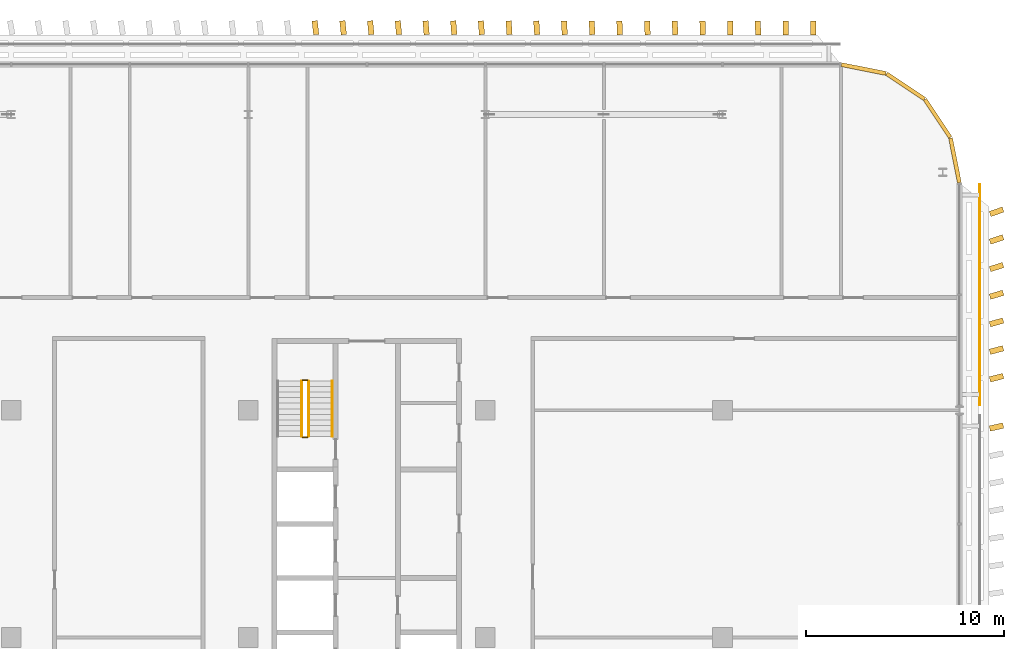
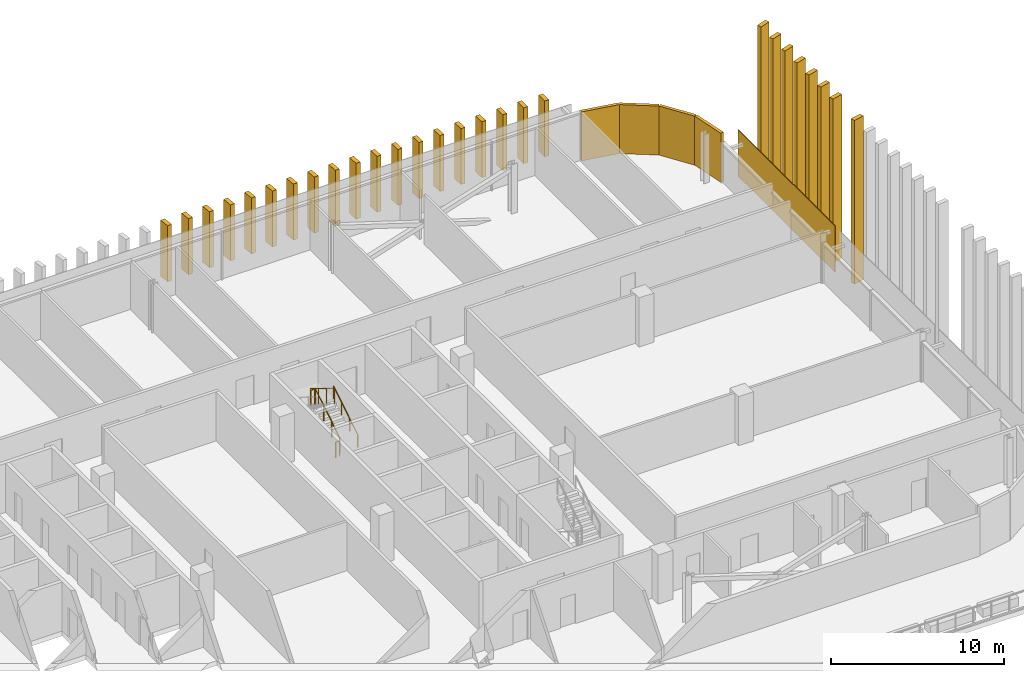
# One storey, part 30 of 30: 32 coverings, 5 railings.
"""IFC4 building model written with IfcOpenShell, lengths in metres."""

from ifc_helpers import new_model, si_unit, direction, frame, origin, origin_2d, place, context, subcontext, project, spatial, rectangle, circle, extrude, material, layer, layer_set, type_object, element, save


model = new_model("IFC4")

# Units and contexts
model_context = context("Model", 3, precision=1e-05, world=origin(), true_north=direction((0.0, 1.0)))
body_context = subcontext(model_context, "Body", "Model", "MODEL_VIEW")
ifc_project = project(units=[si_unit("LENGTHUNIT", "METRE"), si_unit("AREAUNIT", "SQUARE_METRE"), si_unit("VOLUMEUNIT", "CUBIC_METRE"), si_unit("PLANEANGLEUNIT", "RADIAN"), si_unit("MASSUNIT", "GRAM", prefix="KILO")], contexts=[model_context])

# Site, building, storey
site_placement = place(None, origin())
site = spatial("IfcSite", under=ifc_project, at=site_placement, CompositionType="ELEMENT")
building_placement = place(site_placement, origin())
building = spatial("IfcBuilding", under=site, at=building_placement, Name="Mahtab Terrace Research Tower", CompositionType="ELEMENT")
storey_placement = place(building_placement, frame((0.0, 0.0, 228.60009765625)))
storey = spatial("IfcBuildingStorey", under=building, at=storey_placement, Name="L55", CompositionType="ELEMENT", Elevation=228.60009765625)

# Coverings
ifc_material_1 = material(Name="Black aluminium cladding panel", Category="aluminium")
ifc_layer_1 = layer(ifc_material_1, 0.199951171875)
ifc_layer_set_1 = layer_set([ifc_layer_1], Name="Black metal corner cladding 200")
covering_type_1 = type_object("IfcCoveringType", Name="Black metal corner cladding 200", PredefinedType="CLADDING", material=ifc_layer_set_1)
for number, where, z_axis, x_axis, name in (
    (1, (52.89306640625, 26.26953125, 0.0), (0.0, 0.0, 1.0), (-0.555291490808, 0.831655794326, 0.0), "Corner cladding L55 0"),
    (2, (51.26953125, 27.89306640625, 0.0), (0.0, 0.0, 1.0), (-0.831655794326, 0.555291490808, 0.0), "Corner cladding L55 1"),
    (3, (49.14794921875, 28.771484375, 0.0), (0.0, 0.0, 1.0), (-0.980760981187, 0.195212442692, 0.0), "Corner cladding L55 2"),
    (4, (53.771484375, 24.14794921875, 0.0), (0.0, 0.0, 1.0), (-0.195212442692, 0.980760981187, 0.0), "Corner cladding L55 23"),
):
    element("IfcCovering", number, at=place(storey_placement, frame(where, z_axis=z_axis, x_axis=x_axis)), inside=storey, type_object=covering_type_1, Name=name, PredefinedType="CLADDING", context=body_context, shape_type="SweptSolid", body=[
        extrude(rectangle(XDim=2.30126953125, YDim=0.199951171875, at=origin_2d()), origin(), (0.0, 0.0, 1.0), 3.4599609375),
    ])
ifc_material_2 = material(Name="Bronze anodised aluminium", Category="aluminium")
ifc_layer_2 = layer(ifc_material_2, 0.050048828125)
ifc_layer_set_2 = layer_set([ifc_layer_2], Name="Sky lounge girih screen panel")
covering_type_2 = type_object("IfcCoveringType", Name="Sky lounge girih screen panel", PredefinedType="CLADDING", material=ifc_layer_set_2)
covering_placement = place(storey_placement, frame((55.02490234375, 17.346435546875, 0.10009765625), z_axis=(0.0, 0.0, 1.0), x_axis=(0.0, 1.0, 0.0)))
element("IfcCovering", 5, at=covering_placement, inside=storey, type_object=covering_type_2, Name="Girih screen L55 E23", PredefinedType="CLADDING", context=body_context, shape_type="SweptSolid", body=[
    extrude(rectangle(XDim=11.20703125, YDim=0.050048828125, at=origin_2d()), origin(), (0.0, 0.0, 1.0), 3.260009765625),
])

# Railings
ifc_material_3 = material(Name="Stainless steel AISI 304", Category="steel")
railing_type_1 = type_object("IfcRailingType", Name="Stair guard 1100", PredefinedType="GUARDRAIL", material=ifc_material_3)
railing_1_placement = place(storey_placement, frame((21.050048828125, 10.175048828125, 0.172607421875)))
element("IfcRailing", 6, at=railing_1_placement, inside=storey, type_object=railing_type_1, Name="L55 ST3 stair guard 1", PredefinedType="GUARDRAIL", context=body_context, shape_type="SweptSolid", body=[
    extrude(circle(Radius=0.02392578125, at=origin_2d()), frame((0.0, 0.0, 1.076171875), z_axis=(0.0, 0.851089632645, 0.525020415988), x_axis=(-1.0, 0.0, 0.0)), (0.0, 0.0, 1.0), 3.2900390625),
    extrude(circle(Radius=0.02099609375, at=origin_2d()), origin(), (0.0, 0.0, 1.0), 1.052001953125),
    extrude(circle(Radius=0.02099609375, at=origin_2d()), frame((0.0, 0.933349609375, 0.57568359375)), (0.0, 0.0, 1.0), 1.052001953125),
    extrude(circle(Radius=0.02099609375, at=origin_2d()), frame((0.0, 1.86669921875, 1.151611328125)), (0.0, 0.0, 1.0), 1.052001953125),
    extrude(circle(Radius=0.02099609375, at=origin_2d()), frame((0.0, 2.800048828125, 1.727294921875)), (0.0, 0.0, 1.0), 1.052001953125),
])
railing_2_placement = place(storey_placement, frame((21.0, 13.02490234375, 1.89990234375)))
element("IfcRailing", 7, at=railing_2_placement, inside=storey, type_object=railing_type_1, Name="L55 ST3 stair guard 2", PredefinedType="GUARDRAIL", context=body_context, shape_type="SweptSolid", body=[
    extrude(circle(Radius=0.02392578125, at=origin_2d()), frame((0.0, 0.0, 1.076171875), z_axis=(-1.0, 0.0, 0.0), x_axis=(0.0, -1.0, 0.0)), (0.0, 0.0, 1.0), 0.25),
    extrude(circle(Radius=0.02099609375, at=origin_2d()), origin(), (0.0, 0.0, 1.0), 1.052001953125),
    extrude(circle(Radius=0.02099609375, at=origin_2d()), frame((-0.25, 0.0, 0.0)), (0.0, 0.0, 1.0), 1.052001953125),
])
railing_3_placement = place(storey_placement, frame((20.699951171875, 12.97509765625, 2.072509765625)))
element("IfcRailing", 8, at=railing_3_placement, inside=storey, type_object=railing_type_1, Name="L55 ST3 stair guard 3", PredefinedType="GUARDRAIL", context=body_context, shape_type="SweptSolid", body=[
    extrude(circle(Radius=0.02392578125, at=origin_2d()), frame((0.0, 0.0, 1.076171875), z_axis=(0.0, -0.851089632645, 0.525020415988), x_axis=(1.0, 0.0, 0.0)), (0.0, 0.0, 1.0), 3.2900390625),
    extrude(circle(Radius=0.02099609375, at=origin_2d()), origin(), (0.0, 0.0, 1.0), 1.052001953125),
    extrude(circle(Radius=0.02099609375, at=origin_2d()), frame((0.0, -0.933349609375, 0.57568359375)), (0.0, 0.0, 1.0), 1.052001953125),
    extrude(circle(Radius=0.02099609375, at=origin_2d()), frame((0.0, -1.86669921875, 1.151611328125)), (0.0, 0.0, 1.0), 1.052001953125),
    extrude(circle(Radius=0.02099609375, at=origin_2d()), frame((0.0, -2.800048828125, 1.727294921875)), (0.0, 0.0, 1.0), 1.052001953125),
])
railing_4_placement = place(storey_placement, frame((21.0, 10.125, 0.0)))
element("IfcRailing", 9, at=railing_4_placement, inside=storey, type_object=railing_type_1, Name="L55 ST3 stair guard 4", PredefinedType="GUARDRAIL", context=body_context, shape_type="SweptSolid", body=[
    extrude(circle(Radius=0.02392578125, at=origin_2d()), frame((0.0, 0.0, 1.076171875), z_axis=(-1.0, 0.0, 0.0), x_axis=(0.0, -1.0, 0.0)), (0.0, 0.0, 1.0), 0.25),
    extrude(circle(Radius=0.02099609375, at=origin_2d()), origin(), (0.0, 0.0, 1.0), 1.052001953125),
    extrude(circle(Radius=0.02099609375, at=origin_2d()), frame((-0.25, 0.0, 0.0)), (0.0, 0.0, 1.0), 1.052001953125),
])
railing_type_2 = type_object("IfcRailingType", Name="Stair handrail 900", PredefinedType="HANDRAIL", material=ifc_material_3)
railing_5_placement = place(storey_placement, frame((22.25, 10.175048828125, 0.172607421875)))
element("IfcRailing", 10, at=railing_5_placement, inside=storey, type_object=railing_type_2, Name="L55 ST3 stair handrail 1", PredefinedType="HANDRAIL", context=body_context, shape_type="SweptSolid", body=[
    extrude(circle(Radius=0.02392578125, at=origin_2d()), frame((0.0, 0.0, 0.8759765625), z_axis=(0.0, 0.851089632645, 0.525020415988), x_axis=(-1.0, 0.0, 0.0)), (0.0, 0.0, 1.0), 3.2900390625),
    extrude(circle(Radius=0.02099609375, at=origin_2d()), origin(), (0.0, 0.0, 1.0), 0.851806640625),
    extrude(circle(Radius=0.02099609375, at=origin_2d()), frame((0.0, 0.933349609375, 0.57568359375)), (0.0, 0.0, 1.0), 0.851806640625),
    extrude(circle(Radius=0.02099609375, at=origin_2d()), frame((0.0, 1.86669921875, 1.151611328125)), (0.0, 0.0, 1.0), 0.851806640625),
    extrude(circle(Radius=0.02099609375, at=origin_2d()), frame((0.0, 2.800048828125, 1.727294921875)), (0.0, 0.0, 1.0), 0.851806640625),
])

# Coverings
ifc_layer_3 = layer(ifc_material_2, 0.1201171875)
ifc_layer_set_3 = layer_set([ifc_layer_3], Name="Vertical fin 700")
covering_type_3 = type_object("IfcCoveringType", Name="Vertical fin 700", PredefinedType="CLADDING", material=ifc_layer_set_3)
for number, where, z_axis, x_axis, name in (
    (11, (46.60009765625, 30.850830078125, -0.14990234375), (0.0, 0.0, 1.0), (-0.999983076858, -0.005817731349, 0.0), "Fin L55 N1"),
    (12, (45.199951171875, 30.8515625, -0.14990234375), (0.0, 0.0, 1.0), (-0.999932308004, -0.011635265807, 0.0), "Fin L55 N2"),
    (13, (43.800048828125, 30.852294921875, -0.14990234375), (0.0, 0.0, 1.0), (-0.999847695156, -0.017452406437, 0.0), "Fin L55 N3"),
    (14, (42.39990234375, 30.853271484375, -0.14990234375), (0.0, 0.0, 1.0), (-0.99972924118, -0.023268956368, 0.0), "Fin L55 N4"),
    (15, (41.0, 30.85400390625, -0.14990234375), (0.0, 0.0, 1.0), (-0.999576950082, -0.029084718749, 0.0), "Fin L55 N5"),
    (16, (39.60009765625, 30.854736328125, -0.14990234375), (0.0, 0.0, 1.0), (-0.999390827019, -0.034899496703, 0.0), "Fin L55 N6"),
    (17, (38.199951171875, 30.85546875, -0.14990234375), (0.0, 0.0, 1.0), (-0.99917087829, -0.040713093438, 0.0), "Fin L55 N7"),
    (18, (36.800048828125, 30.856201171875, -0.14990234375), (0.0, 0.0, 1.0), (-0.998917111338, -0.046525312204, 0.0), "Fin L55 N8"),
    (19, (35.39990234375, 30.85693359375, -0.14990234375), (0.0, 0.0, 1.0), (-0.998629534755, -0.052335956243, 0.0), "Fin L55 N9"),
    (20, (34.0, 30.857666015625, -0.14990234375), (0.0, 0.0, 1.0), (-0.998308158272, -0.058144828905, 0.0), "Fin L55 N10"),
    (21, (32.60009765625, 30.858154296875, -0.14990234375), (0.0, 0.0, 1.0), (-0.997952992766, -0.063951733597, 0.0), "Fin L55 N11"),
    (22, (31.199951171875, 30.85888671875, -0.14990234375), (0.0, 0.0, 1.0), (-0.99756405026, -0.069756473744, 0.0), "Fin L55 N12"),
    (23, (29.800048828125, 30.859619140625, -0.14990234375), (0.0, 0.0, 1.0), (-0.997141343917, -0.075558852893, 0.0), "Fin L55 N13"),
    (24, (28.39990234375, 30.8603515625, -0.14990234375), (0.0, 0.0, 1.0), (-0.996684888044, -0.081358674674, 0.0), "Fin L55 N14"),
    (25, (27.0, 30.86083984375, -0.14990234375), (0.0, 0.0, 1.0), (-0.996194698092, -0.087155742748, 0.0), "Fin L55 N15"),
    (26, (25.60009765625, 30.861572265625, -0.14990234375), (0.0, 0.0, 1.0), (-0.99567079065, -0.092949860924, 0.0), "Fin L55 N16"),
    (27, (24.199951171875, 30.862060546875, -0.14990234375), (0.0, 0.0, 1.0), (-0.99511318345, -0.098740833109, 0.0), "Fin L55 N17"),
    (28, (22.800048828125, 30.86279296875, -0.14990234375), (0.0, 0.0, 1.0), (-0.994521895368, -0.104528463268, 0.0), "Fin L55 N18"),
    (29, (21.39990234375, 30.86328125, -0.14990234375), (0.0, 0.0, 1.0), (-0.993896946415, -0.110312555526, 0.0), "Fin L55 N19"),
):
    element("IfcCovering", number, at=place(storey_placement, frame(where, z_axis=z_axis, x_axis=x_axis)), inside=storey, type_object=covering_type_3, Name=name, PredefinedType="CLADDING", context=body_context, shape_type="SweptSolid", body=[
        extrude(rectangle(XDim=0.280029296875, YDim=0.699951171875, at=origin_2d()), origin(), (0.0, 0.0, 1.0), 3.949951171875),
    ])
for number, where, z_axis, x_axis, name in (
    (30, (55.872314453125, 10.64990234375, -0.14990234375), (0.0, 0.0, 1.0), (-0.220447090484, 0.975398933923, 0.0), "Fin L55 E8"),
    (31, (55.87353515625, 13.146484375, -0.14990234375), (0.0, 0.0, 1.0), (-0.245372079494, 0.969428977597, 0.0), "Fin L55 E1"),
    (32, (55.874267578125, 14.54638671875, -0.14990234375), (0.0, 0.0, 1.0), (-0.259280147499, 0.965802156299, 0.0), "Fin L55 E2"),
    (33, (55.875, 15.946533203125, -0.14990234375), (0.0, 0.0, 1.0), (-0.273134651289, 0.961975811684, 0.0), "Fin L55 E3"),
    (34, (55.87548828125, 17.346435546875, -0.14990234375), (0.0, 0.0, 1.0), (-0.286932728686, 0.957950734228, 0.0), "Fin L55 E4"),
    (35, (55.8759765625, 18.74658203125, -0.14990234375), (0.0, 0.0, 1.0), (-0.300671529153, 0.953727755471, 0.0), "Fin L55 E5"),
    (36, (55.876220703125, 20.146484375, -0.14990234375), (0.0, 0.0, 1.0), (-0.314348214451, 0.94930774782, 0.0), "Fin L55 E6"),
    (37, (55.87646484375, 21.54638671875, -0.14990234375), (0.0, 0.0, 1.0), (-0.327959959121, 0.944691624401, 0.0), "Fin L55 E7"),
):
    element("IfcCovering", number, at=place(storey_placement, frame(where, z_axis=z_axis, x_axis=x_axis)), inside=storey, type_object=covering_type_3, Name=name, PredefinedType="CLADDING", context=body_context, shape_type="SweptSolid", body=[
        extrude(rectangle(XDim=0.280029296875, YDim=0.699951171875, at=origin_2d()), origin(), (0.0, 0.0, 1.0), 11.550048828125),
    ])

save(model, "model.ifc")
